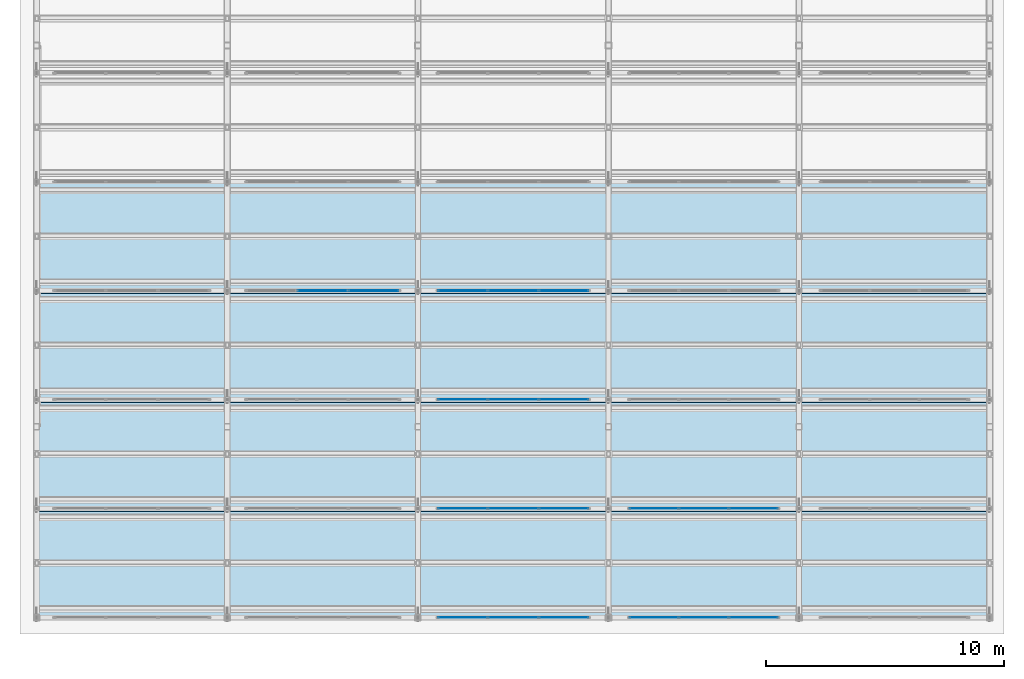
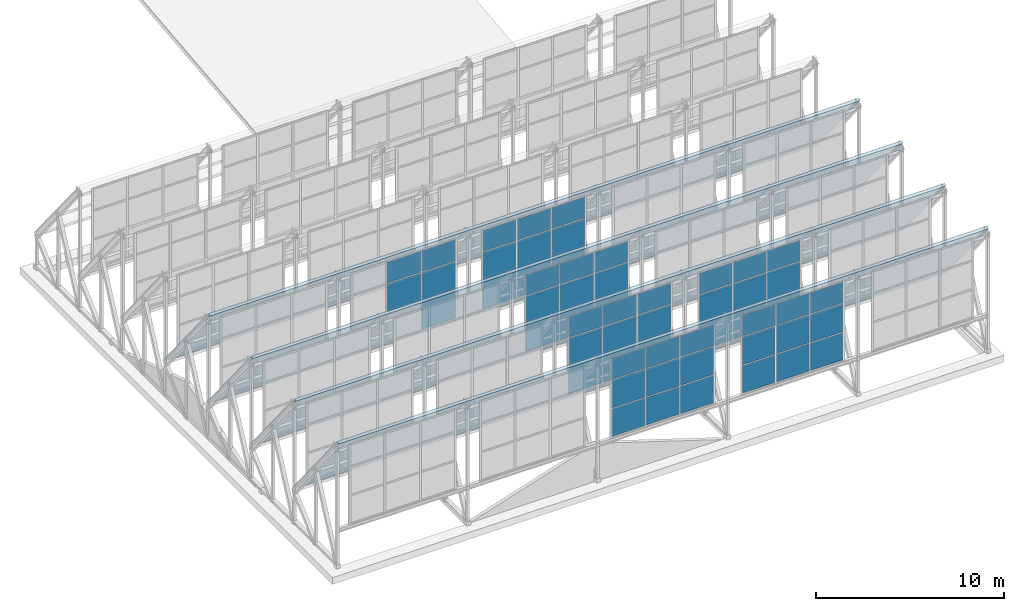
# One storey, part 27 of 34: 59 plates, 4 slabs, 11 elements without a shape of their own.
"""IFC4 building model written with IfcOpenShell, lengths in metres."""

from ifc_helpers import new_model, si_unit, direction, frame, origin, origin_2d, place, context, subcontext, project, spatial, polyline, rectangle, outline, extrude, material, layer, layer_set, type_object, element, aggregate, save


model = new_model("IFC4")

# Units and contexts
model_context = context("Model", 3, precision=1e-05, world=origin(), true_north=direction((0.0, 1.0)))
body_context = subcontext(model_context, "Body", "Model", "MODEL_VIEW")
ifc_project = project(units=[si_unit("LENGTHUNIT", "METRE"), si_unit("AREAUNIT", "SQUARE_METRE"), si_unit("VOLUMEUNIT", "CUBIC_METRE"), si_unit("PLANEANGLEUNIT", "RADIAN"), si_unit("MASSUNIT", "GRAM", prefix="KILO")], contexts=[model_context])

# Site, building, storey
site_placement = place(None, origin())
site = spatial("IfcSite", under=ifc_project, at=site_placement, CompositionType="ELEMENT")
building_placement = place(site_placement, origin())
building = spatial("IfcBuilding", under=site, at=building_placement, Name="Qorikala Patio Media Centre", CompositionType="ELEMENT")
storey_placement = place(building_placement, frame((0.0, 0.0, 32.699951171875)))
storey = spatial("IfcBuildingStorey", under=building, at=storey_placement, Name="RF", CompositionType="ELEMENT", Elevation=32.699951171875)

# Curtain wall, plates
ifc_material_1 = material(Name="Bronze Anodised Aluminium and Low-E Glass", Category="aluminium")
ifc_layer_1 = layer(ifc_material_1, 0.159912109375)
ifc_layer_set_1 = layer_set([ifc_layer_1], Name="Bronze Anodised Aluminium and Low-E Glass")
curtain_wall_type_1 = type_object("IfcCurtainWallType", Name="CW-SAW-640X520", PredefinedType="USERDEFINED", material=ifc_layer_set_1)
curtain_wall_1_placement = place(storey_placement, origin())
curtain_wall_1 = element("IfcCurtainWall", 1, at=curtain_wall_1_placement, inside=storey, type_object=curtain_wall_type_1, Name="RF Sawtooth Glazing 109", ObjectType="SAWTOOTH GLAZING", PredefinedType="USERDEFINED")
ifc_material_2 = material(Name="Acoustic Laminated Low-E Glass", Category="glass")
ifc_layer_2 = layer(ifc_material_2, 0.031982421875)
ifc_layer_set_2 = layer_set([ifc_layer_2], Name="Acoustic Laminated Low-E Glass")
plate_type = type_object("IfcPlateType", Name="CWP-32", PredefinedType="CURTAIN_PANEL", material=ifc_layer_set_2)
plate_1_placement = place(storey_placement, frame((20.881591796875, 3.0, 2.81005859375), z_axis=(0.0, 0.0, 1.0), x_axis=(1.0, 0.0, 0.0)))
plate_1 = element("IfcPlate", 2, at=plate_1_placement, type_object=plate_type, Name="CWS640520 panel 1.1", PredefinedType="CURTAIN_PANEL", context=body_context, shape_type="SweptSolid", body=[
    extrude(rectangle(XDim=2.043212890625, YDim=0.031982421875, at=origin_2d()), origin(), (0.0, 0.0, 1.0), 1.781982421875),
])
plate_2_placement = place(storey_placement, frame((20.881591796875, 3.0, 4.652099609375), z_axis=(0.0, 0.0, 1.0), x_axis=(1.0, 0.0, 0.0)))
plate_2 = element("IfcPlate", 3, at=plate_2_placement, type_object=plate_type, Name="CWS640520 panel 1.2", PredefinedType="CURTAIN_PANEL", context=body_context, shape_type="SweptSolid", body=[
    extrude(rectangle(XDim=2.043212890625, YDim=0.031982421875, at=origin_2d()), origin(), (0.0, 0.0, 1.0), 1.81201171875),
])
plate_3_placement = place(storey_placement, frame((20.881591796875, 3.0, 6.52392578125), z_axis=(0.0, 0.0, 1.0), x_axis=(1.0, 0.0, 0.0)))
plate_3 = element("IfcPlate", 4, at=plate_3_placement, type_object=plate_type, Name="CWS640520 panel 1.3", PredefinedType="CURTAIN_PANEL", context=body_context, shape_type="SweptSolid", body=[
    extrude(rectangle(XDim=2.043212890625, YDim=0.031982421875, at=origin_2d()), origin(), (0.0, 0.0, 1.0), 1.365966796875),
])
plate_4_placement = place(storey_placement, frame((23.0, 3.0, 2.81005859375), z_axis=(0.0, 0.0, 1.0), x_axis=(1.0, 0.0, 0.0)))
plate_4 = element("IfcPlate", 5, at=plate_4_placement, type_object=plate_type, Name="CWS640520 panel 2.1", PredefinedType="CURTAIN_PANEL", context=body_context, shape_type="SweptSolid", body=[
    extrude(rectangle(XDim=2.0732421875, YDim=0.031982421875, at=origin_2d()), origin(), (0.0, 0.0, 1.0), 1.781982421875),
])
plate_5_placement = place(storey_placement, frame((23.0, 3.0, 4.652099609375), z_axis=(0.0, 0.0, 1.0), x_axis=(1.0, 0.0, 0.0)))
plate_5 = element("IfcPlate", 6, at=plate_5_placement, type_object=plate_type, Name="CWS640520 panel 2.2", PredefinedType="CURTAIN_PANEL", context=body_context, shape_type="SweptSolid", body=[
    extrude(rectangle(XDim=2.0732421875, YDim=0.031982421875, at=origin_2d()), origin(), (0.0, 0.0, 1.0), 1.81201171875),
])
plate_6_placement = place(storey_placement, frame((23.0, 3.0, 6.52392578125), z_axis=(0.0, 0.0, 1.0), x_axis=(1.0, 0.0, 0.0)))
plate_6 = element("IfcPlate", 7, at=plate_6_placement, type_object=plate_type, Name="CWS640520 panel 2.3", PredefinedType="CURTAIN_PANEL", context=body_context, shape_type="SweptSolid", body=[
    extrude(rectangle(XDim=2.0732421875, YDim=0.031982421875, at=origin_2d()), origin(), (0.0, 0.0, 1.0), 1.365966796875),
])
plate_7_placement = place(storey_placement, frame((25.118408203125, 3.0, 2.81005859375), z_axis=(0.0, 0.0, 1.0), x_axis=(1.0, 0.0, 0.0)))
plate_7 = element("IfcPlate", 8, at=plate_7_placement, type_object=plate_type, Name="CWS640520 panel 3.1", PredefinedType="CURTAIN_PANEL", context=body_context, shape_type="SweptSolid", body=[
    extrude(rectangle(XDim=2.043212890625, YDim=0.031982421875, at=origin_2d()), origin(), (0.0, 0.0, 1.0), 1.781982421875),
])
plate_8_placement = place(storey_placement, frame((25.118408203125, 3.0, 4.652099609375), z_axis=(0.0, 0.0, 1.0), x_axis=(1.0, 0.0, 0.0)))
plate_8 = element("IfcPlate", 9, at=plate_8_placement, type_object=plate_type, Name="CWS640520 panel 3.2", PredefinedType="CURTAIN_PANEL", context=body_context, shape_type="SweptSolid", body=[
    extrude(rectangle(XDim=2.043212890625, YDim=0.031982421875, at=origin_2d()), origin(), (0.0, 0.0, 1.0), 1.81201171875),
])
plate_9_placement = place(storey_placement, frame((25.118408203125, 3.0, 6.52392578125), z_axis=(0.0, 0.0, 1.0), x_axis=(1.0, 0.0, 0.0)))
plate_9 = element("IfcPlate", 10, at=plate_9_placement, type_object=plate_type, Name="CWS640520 panel 3.3", PredefinedType="CURTAIN_PANEL", context=body_context, shape_type="SweptSolid", body=[
    extrude(rectangle(XDim=2.043212890625, YDim=0.031982421875, at=origin_2d()), origin(), (0.0, 0.0, 1.0), 1.365966796875),
])
aggregate(curtain_wall_1, [plate_1, plate_2, plate_3, plate_4, plate_5, plate_6, plate_7, plate_8, plate_9])

ifc_layer_3 = layer(ifc_material_1, 0.159912109375)
ifc_layer_set_3 = layer_set([ifc_layer_3], Name="Bronze Anodised Aluminium and Low-E Glass")
curtain_wall_type_2 = type_object("IfcCurtainWallType", Name="CW-SAW-632X520", PredefinedType="USERDEFINED", material=ifc_layer_set_3)
curtain_wall_2_placement = place(storey_placement, origin())
curtain_wall_2 = element("IfcCurtainWall", 11, at=curtain_wall_2_placement, inside=storey, type_object=curtain_wall_type_2, Name="RF Sawtooth Glazing 110", ObjectType="SAWTOOTH GLAZING", PredefinedType="USERDEFINED")
plate_10_placement = place(storey_placement, frame((28.908447265625, 3.0, 2.81005859375), z_axis=(0.0, 0.0, 1.0), x_axis=(1.0, 0.0, 0.0)))
plate_10 = element("IfcPlate", 12, at=plate_10_placement, type_object=plate_type, Name="CWS632520 panel 1.1", PredefinedType="CURTAIN_PANEL", context=body_context, shape_type="SweptSolid", body=[
    extrude(rectangle(XDim=2.0166015625, YDim=0.031982421875, at=origin_2d()), origin(), (0.0, 0.0, 1.0), 1.781982421875),
])
plate_11_placement = place(storey_placement, frame((28.908447265625, 3.0, 4.652099609375), z_axis=(0.0, 0.0, 1.0), x_axis=(1.0, 0.0, 0.0)))
plate_11 = element("IfcPlate", 13, at=plate_11_placement, type_object=plate_type, Name="CWS632520 panel 1.2", PredefinedType="CURTAIN_PANEL", context=body_context, shape_type="SweptSolid", body=[
    extrude(rectangle(XDim=2.0166015625, YDim=0.031982421875, at=origin_2d()), origin(), (0.0, 0.0, 1.0), 1.81201171875),
])
plate_12_placement = place(storey_placement, frame((28.908447265625, 3.0, 6.52392578125), z_axis=(0.0, 0.0, 1.0), x_axis=(1.0, 0.0, 0.0)))
plate_12 = element("IfcPlate", 14, at=plate_12_placement, type_object=plate_type, Name="CWS632520 panel 1.3", PredefinedType="CURTAIN_PANEL", context=body_context, shape_type="SweptSolid", body=[
    extrude(rectangle(XDim=2.0166015625, YDim=0.031982421875, at=origin_2d()), origin(), (0.0, 0.0, 1.0), 1.365966796875),
])
plate_13_placement = place(storey_placement, frame((31.0, 3.0, 2.81005859375), z_axis=(0.0, 0.0, 1.0), x_axis=(1.0, 0.0, 0.0)))
plate_13 = element("IfcPlate", 15, at=plate_13_placement, type_object=plate_type, Name="CWS632520 panel 2.1", PredefinedType="CURTAIN_PANEL", context=body_context, shape_type="SweptSolid", body=[
    extrude(rectangle(XDim=2.046630859375, YDim=0.031982421875, at=origin_2d()), origin(), (0.0, 0.0, 1.0), 1.781982421875),
])
plate_14_placement = place(storey_placement, frame((31.0, 3.0, 4.652099609375), z_axis=(0.0, 0.0, 1.0), x_axis=(1.0, 0.0, 0.0)))
plate_14 = element("IfcPlate", 16, at=plate_14_placement, type_object=plate_type, Name="CWS632520 panel 2.2", PredefinedType="CURTAIN_PANEL", context=body_context, shape_type="SweptSolid", body=[
    extrude(rectangle(XDim=2.046630859375, YDim=0.031982421875, at=origin_2d()), origin(), (0.0, 0.0, 1.0), 1.81201171875),
])
plate_15_placement = place(storey_placement, frame((31.0, 3.0, 6.52392578125), z_axis=(0.0, 0.0, 1.0), x_axis=(1.0, 0.0, 0.0)))
plate_15 = element("IfcPlate", 17, at=plate_15_placement, type_object=plate_type, Name="CWS632520 panel 2.3", PredefinedType="CURTAIN_PANEL", context=body_context, shape_type="SweptSolid", body=[
    extrude(rectangle(XDim=2.046630859375, YDim=0.031982421875, at=origin_2d()), origin(), (0.0, 0.0, 1.0), 1.365966796875),
])
plate_16_placement = place(storey_placement, frame((33.091552734375, 3.0, 2.81005859375), z_axis=(0.0, 0.0, 1.0), x_axis=(1.0, 0.0, 0.0)))
plate_16 = element("IfcPlate", 18, at=plate_16_placement, type_object=plate_type, Name="CWS632520 panel 3.1", PredefinedType="CURTAIN_PANEL", context=body_context, shape_type="SweptSolid", body=[
    extrude(rectangle(XDim=2.0166015625, YDim=0.031982421875, at=origin_2d()), origin(), (0.0, 0.0, 1.0), 1.781982421875),
])
plate_17_placement = place(storey_placement, frame((33.091552734375, 3.0, 4.652099609375), z_axis=(0.0, 0.0, 1.0), x_axis=(1.0, 0.0, 0.0)))
plate_17 = element("IfcPlate", 19, at=plate_17_placement, type_object=plate_type, Name="CWS632520 panel 3.2", PredefinedType="CURTAIN_PANEL", context=body_context, shape_type="SweptSolid", body=[
    extrude(rectangle(XDim=2.0166015625, YDim=0.031982421875, at=origin_2d()), origin(), (0.0, 0.0, 1.0), 1.81201171875),
])
plate_18_placement = place(storey_placement, frame((33.091552734375, 3.0, 6.52392578125), z_axis=(0.0, 0.0, 1.0), x_axis=(1.0, 0.0, 0.0)))
plate_18 = element("IfcPlate", 20, at=plate_18_placement, type_object=plate_type, Name="CWS632520 panel 3.3", PredefinedType="CURTAIN_PANEL", context=body_context, shape_type="SweptSolid", body=[
    extrude(rectangle(XDim=2.0166015625, YDim=0.031982421875, at=origin_2d()), origin(), (0.0, 0.0, 1.0), 1.365966796875),
])
aggregate(curtain_wall_2, [plate_10, plate_11, plate_12, plate_13, plate_14, plate_15, plate_16, plate_17, plate_18])

ifc_layer_4 = layer(ifc_material_1, 0.159912109375)
ifc_layer_set_4 = layer_set([ifc_layer_4], Name="Bronze Anodised Aluminium and Low-E Glass")
curtain_wall_type_3 = type_object("IfcCurtainWallType", Name="CW-SAW-640X514", PredefinedType="USERDEFINED", material=ifc_layer_set_4)
curtain_wall_3_placement = place(storey_placement, origin())
curtain_wall_3 = element("IfcCurtainWall", 21, at=curtain_wall_3_placement, inside=storey, type_object=curtain_wall_type_3, Name="RF Sawtooth Glazing 114", ObjectType="SAWTOOTH GLAZING", PredefinedType="USERDEFINED")
plate_19_placement = place(storey_placement, frame((20.881591796875, 7.5712890625, 2.81005859375), z_axis=(0.0, 0.0, 1.0), x_axis=(1.0, 0.0, 0.0)))
plate_19 = element("IfcPlate", 22, at=plate_19_placement, type_object=plate_type, Name="CWS640514 panel 1.1", PredefinedType="CURTAIN_PANEL", context=body_context, shape_type="SweptSolid", body=[
    extrude(rectangle(XDim=2.043212890625, YDim=0.031982421875, at=origin_2d()), origin(), (0.0, 0.0, 1.0), 1.760498046875),
])
plate_20_placement = place(storey_placement, frame((20.881591796875, 7.5712890625, 4.63037109375), z_axis=(0.0, 0.0, 1.0), x_axis=(1.0, 0.0, 0.0)))
plate_20 = element("IfcPlate", 23, at=plate_20_placement, type_object=plate_type, Name="CWS640514 panel 1.2", PredefinedType="CURTAIN_PANEL", context=body_context, shape_type="SweptSolid", body=[
    extrude(rectangle(XDim=2.043212890625, YDim=0.031982421875, at=origin_2d()), origin(), (0.0, 0.0, 1.0), 1.790283203125),
])
plate_21_placement = place(storey_placement, frame((20.881591796875, 7.5712890625, 6.48095703125), z_axis=(0.0, 0.0, 1.0), x_axis=(1.0, 0.0, 0.0)))
plate_21 = element("IfcPlate", 24, at=plate_21_placement, type_object=plate_type, Name="CWS640514 panel 1.3", PredefinedType="CURTAIN_PANEL", context=body_context, shape_type="SweptSolid", body=[
    extrude(rectangle(XDim=2.043212890625, YDim=0.031982421875, at=origin_2d()), origin(), (0.0, 0.0, 1.0), 1.34912109375),
])
plate_22_placement = place(storey_placement, frame((23.0, 7.5712890625, 2.81005859375), z_axis=(0.0, 0.0, 1.0), x_axis=(1.0, 0.0, 0.0)))
plate_22 = element("IfcPlate", 25, at=plate_22_placement, type_object=plate_type, Name="CWS640514 panel 2.1", PredefinedType="CURTAIN_PANEL", context=body_context, shape_type="SweptSolid", body=[
    extrude(rectangle(XDim=2.0732421875, YDim=0.031982421875, at=origin_2d()), origin(), (0.0, 0.0, 1.0), 1.760498046875),
])
plate_23_placement = place(storey_placement, frame((23.0, 7.5712890625, 4.63037109375), z_axis=(0.0, 0.0, 1.0), x_axis=(1.0, 0.0, 0.0)))
plate_23 = element("IfcPlate", 26, at=plate_23_placement, type_object=plate_type, Name="CWS640514 panel 2.2", PredefinedType="CURTAIN_PANEL", context=body_context, shape_type="SweptSolid", body=[
    extrude(rectangle(XDim=2.0732421875, YDim=0.031982421875, at=origin_2d()), origin(), (0.0, 0.0, 1.0), 1.790283203125),
])
plate_24_placement = place(storey_placement, frame((23.0, 7.5712890625, 6.48095703125), z_axis=(0.0, 0.0, 1.0), x_axis=(1.0, 0.0, 0.0)))
plate_24 = element("IfcPlate", 27, at=plate_24_placement, type_object=plate_type, Name="CWS640514 panel 2.3", PredefinedType="CURTAIN_PANEL", context=body_context, shape_type="SweptSolid", body=[
    extrude(rectangle(XDim=2.0732421875, YDim=0.031982421875, at=origin_2d()), origin(), (0.0, 0.0, 1.0), 1.34912109375),
])
plate_25_placement = place(storey_placement, frame((25.118408203125, 7.5712890625, 2.81005859375), z_axis=(0.0, 0.0, 1.0), x_axis=(1.0, 0.0, 0.0)))
plate_25 = element("IfcPlate", 28, at=plate_25_placement, type_object=plate_type, Name="CWS640514 panel 3.1", PredefinedType="CURTAIN_PANEL", context=body_context, shape_type="SweptSolid", body=[
    extrude(rectangle(XDim=2.043212890625, YDim=0.031982421875, at=origin_2d()), origin(), (0.0, 0.0, 1.0), 1.760498046875),
])
plate_26_placement = place(storey_placement, frame((25.118408203125, 7.5712890625, 4.63037109375), z_axis=(0.0, 0.0, 1.0), x_axis=(1.0, 0.0, 0.0)))
plate_26 = element("IfcPlate", 29, at=plate_26_placement, type_object=plate_type, Name="CWS640514 panel 3.2", PredefinedType="CURTAIN_PANEL", context=body_context, shape_type="SweptSolid", body=[
    extrude(rectangle(XDim=2.043212890625, YDim=0.031982421875, at=origin_2d()), origin(), (0.0, 0.0, 1.0), 1.790283203125),
])
plate_27_placement = place(storey_placement, frame((25.118408203125, 7.5712890625, 6.48095703125), z_axis=(0.0, 0.0, 1.0), x_axis=(1.0, 0.0, 0.0)))
plate_27 = element("IfcPlate", 30, at=plate_27_placement, type_object=plate_type, Name="CWS640514 panel 3.3", PredefinedType="CURTAIN_PANEL", context=body_context, shape_type="SweptSolid", body=[
    extrude(rectangle(XDim=2.043212890625, YDim=0.031982421875, at=origin_2d()), origin(), (0.0, 0.0, 1.0), 1.34912109375),
])
aggregate(curtain_wall_3, [plate_19, plate_20, plate_21, plate_22, plate_23, plate_24, plate_25, plate_26, plate_27])

ifc_layer_5 = layer(ifc_material_1, 0.159912109375)
ifc_layer_set_5 = layer_set([ifc_layer_5], Name="Bronze Anodised Aluminium and Low-E Glass")
curtain_wall_type_4 = type_object("IfcCurtainWallType", Name="CW-SAW-632X514", PredefinedType="USERDEFINED", material=ifc_layer_set_5)
curtain_wall_4_placement = place(storey_placement, origin())
curtain_wall_4 = element("IfcCurtainWall", 31, at=curtain_wall_4_placement, inside=storey, type_object=curtain_wall_type_4, Name="RF Sawtooth Glazing 115", ObjectType="SAWTOOTH GLAZING", PredefinedType="USERDEFINED")
plate_28_placement = place(storey_placement, frame((28.908447265625, 7.5712890625, 2.81005859375), z_axis=(0.0, 0.0, 1.0), x_axis=(1.0, 0.0, 0.0)))
plate_28 = element("IfcPlate", 32, at=plate_28_placement, type_object=plate_type, Name="CWS632514 panel 1.1", PredefinedType="CURTAIN_PANEL", context=body_context, shape_type="SweptSolid", body=[
    extrude(rectangle(XDim=2.0166015625, YDim=0.031982421875, at=origin_2d()), origin(), (0.0, 0.0, 1.0), 1.760498046875),
])
plate_29_placement = place(storey_placement, frame((28.908447265625, 7.5712890625, 4.63037109375), z_axis=(0.0, 0.0, 1.0), x_axis=(1.0, 0.0, 0.0)))
plate_29 = element("IfcPlate", 33, at=plate_29_placement, type_object=plate_type, Name="CWS632514 panel 1.2", PredefinedType="CURTAIN_PANEL", context=body_context, shape_type="SweptSolid", body=[
    extrude(rectangle(XDim=2.0166015625, YDim=0.031982421875, at=origin_2d()), origin(), (0.0, 0.0, 1.0), 1.790283203125),
])
plate_30_placement = place(storey_placement, frame((28.908447265625, 7.5712890625, 6.48095703125), z_axis=(0.0, 0.0, 1.0), x_axis=(1.0, 0.0, 0.0)))
plate_30 = element("IfcPlate", 34, at=plate_30_placement, type_object=plate_type, Name="CWS632514 panel 1.3", PredefinedType="CURTAIN_PANEL", context=body_context, shape_type="SweptSolid", body=[
    extrude(rectangle(XDim=2.0166015625, YDim=0.031982421875, at=origin_2d()), origin(), (0.0, 0.0, 1.0), 1.34912109375),
])
plate_31_placement = place(storey_placement, frame((31.0, 7.5712890625, 2.81005859375), z_axis=(0.0, 0.0, 1.0), x_axis=(1.0, 0.0, 0.0)))
plate_31 = element("IfcPlate", 35, at=plate_31_placement, type_object=plate_type, Name="CWS632514 panel 2.1", PredefinedType="CURTAIN_PANEL", context=body_context, shape_type="SweptSolid", body=[
    extrude(rectangle(XDim=2.046630859375, YDim=0.031982421875, at=origin_2d()), origin(), (0.0, 0.0, 1.0), 1.760498046875),
])
plate_32_placement = place(storey_placement, frame((31.0, 7.5712890625, 4.63037109375), z_axis=(0.0, 0.0, 1.0), x_axis=(1.0, 0.0, 0.0)))
plate_32 = element("IfcPlate", 36, at=plate_32_placement, type_object=plate_type, Name="CWS632514 panel 2.2", PredefinedType="CURTAIN_PANEL", context=body_context, shape_type="SweptSolid", body=[
    extrude(rectangle(XDim=2.046630859375, YDim=0.031982421875, at=origin_2d()), origin(), (0.0, 0.0, 1.0), 1.790283203125),
])
plate_33_placement = place(storey_placement, frame((31.0, 7.5712890625, 6.48095703125), z_axis=(0.0, 0.0, 1.0), x_axis=(1.0, 0.0, 0.0)))
plate_33 = element("IfcPlate", 37, at=plate_33_placement, type_object=plate_type, Name="CWS632514 panel 2.3", PredefinedType="CURTAIN_PANEL", context=body_context, shape_type="SweptSolid", body=[
    extrude(rectangle(XDim=2.046630859375, YDim=0.031982421875, at=origin_2d()), origin(), (0.0, 0.0, 1.0), 1.34912109375),
])
plate_34_placement = place(storey_placement, frame((33.091552734375, 7.5712890625, 2.81005859375), z_axis=(0.0, 0.0, 1.0), x_axis=(1.0, 0.0, 0.0)))
plate_34 = element("IfcPlate", 38, at=plate_34_placement, type_object=plate_type, Name="CWS632514 panel 3.1", PredefinedType="CURTAIN_PANEL", context=body_context, shape_type="SweptSolid", body=[
    extrude(rectangle(XDim=2.0166015625, YDim=0.031982421875, at=origin_2d()), origin(), (0.0, 0.0, 1.0), 1.760498046875),
])
plate_35_placement = place(storey_placement, frame((33.091552734375, 7.5712890625, 4.63037109375), z_axis=(0.0, 0.0, 1.0), x_axis=(1.0, 0.0, 0.0)))
plate_35 = element("IfcPlate", 39, at=plate_35_placement, type_object=plate_type, Name="CWS632514 panel 3.2", PredefinedType="CURTAIN_PANEL", context=body_context, shape_type="SweptSolid", body=[
    extrude(rectangle(XDim=2.0166015625, YDim=0.031982421875, at=origin_2d()), origin(), (0.0, 0.0, 1.0), 1.790283203125),
])
plate_36_placement = place(storey_placement, frame((33.091552734375, 7.5712890625, 6.48095703125), z_axis=(0.0, 0.0, 1.0), x_axis=(1.0, 0.0, 0.0)))
plate_36 = element("IfcPlate", 40, at=plate_36_placement, type_object=plate_type, Name="CWS632514 panel 3.3", PredefinedType="CURTAIN_PANEL", context=body_context, shape_type="SweptSolid", body=[
    extrude(rectangle(XDim=2.0166015625, YDim=0.031982421875, at=origin_2d()), origin(), (0.0, 0.0, 1.0), 1.34912109375),
])
aggregate(curtain_wall_4, [plate_28, plate_29, plate_30, plate_31, plate_32, plate_33, plate_34, plate_35, plate_36])

ifc_layer_6 = layer(ifc_material_1, 0.159912109375)
ifc_layer_set_6 = layer_set([ifc_layer_6], Name="Bronze Anodised Aluminium and Low-E Glass")
curtain_wall_type_5 = type_object("IfcCurtainWallType", Name="CW-SAW-640X508", PredefinedType="USERDEFINED", material=ifc_layer_set_6)
curtain_wall_5_placement = place(storey_placement, origin())
curtain_wall_5 = element("IfcCurtainWall", 41, at=curtain_wall_5_placement, inside=storey, type_object=curtain_wall_type_5, Name="RF Sawtooth Glazing 119", ObjectType="SAWTOOTH GLAZING", PredefinedType="USERDEFINED")
plate_37_placement = place(storey_placement, frame((20.881591796875, 12.142822265625, 2.81005859375), z_axis=(0.0, 0.0, 1.0), x_axis=(1.0, 0.0, 0.0)))
plate_37 = element("IfcPlate", 42, at=plate_37_placement, type_object=plate_type, Name="CWS640508 panel 1.1", PredefinedType="CURTAIN_PANEL", context=body_context, shape_type="SweptSolid", body=[
    extrude(rectangle(XDim=2.043212890625, YDim=0.031982421875, at=origin_2d()), origin(), (0.0, 0.0, 1.0), 1.73876953125),
])
plate_38_placement = place(storey_placement, frame((20.881591796875, 12.142822265625, 4.60888671875), z_axis=(0.0, 0.0, 1.0), x_axis=(1.0, 0.0, 0.0)))
plate_38 = element("IfcPlate", 43, at=plate_38_placement, type_object=plate_type, Name="CWS640508 panel 1.2", PredefinedType="CURTAIN_PANEL", context=body_context, shape_type="SweptSolid", body=[
    extrude(rectangle(XDim=2.043212890625, YDim=0.031982421875, at=origin_2d()), origin(), (0.0, 0.0, 1.0), 1.768798828125),
])
plate_39_placement = place(storey_placement, frame((20.881591796875, 12.142822265625, 6.4375), z_axis=(0.0, 0.0, 1.0), x_axis=(1.0, 0.0, 0.0)))
plate_39 = element("IfcPlate", 44, at=plate_39_placement, type_object=plate_type, Name="CWS640508 panel 1.3", PredefinedType="CURTAIN_PANEL", context=body_context, shape_type="SweptSolid", body=[
    extrude(rectangle(XDim=2.043212890625, YDim=0.031982421875, at=origin_2d()), origin(), (0.0, 0.0, 1.0), 1.33251953125),
])
plate_40_placement = place(storey_placement, frame((23.0, 12.142822265625, 2.81005859375), z_axis=(0.0, 0.0, 1.0), x_axis=(1.0, 0.0, 0.0)))
plate_40 = element("IfcPlate", 45, at=plate_40_placement, type_object=plate_type, Name="CWS640508 panel 2.1", PredefinedType="CURTAIN_PANEL", context=body_context, shape_type="SweptSolid", body=[
    extrude(rectangle(XDim=2.0732421875, YDim=0.031982421875, at=origin_2d()), origin(), (0.0, 0.0, 1.0), 1.73876953125),
])
plate_41_placement = place(storey_placement, frame((23.0, 12.142822265625, 4.60888671875), z_axis=(0.0, 0.0, 1.0), x_axis=(1.0, 0.0, 0.0)))
plate_41 = element("IfcPlate", 46, at=plate_41_placement, type_object=plate_type, Name="CWS640508 panel 2.2", PredefinedType="CURTAIN_PANEL", context=body_context, shape_type="SweptSolid", body=[
    extrude(rectangle(XDim=2.0732421875, YDim=0.031982421875, at=origin_2d()), origin(), (0.0, 0.0, 1.0), 1.768798828125),
])
plate_42_placement = place(storey_placement, frame((23.0, 12.142822265625, 6.4375), z_axis=(0.0, 0.0, 1.0), x_axis=(1.0, 0.0, 0.0)))
plate_42 = element("IfcPlate", 47, at=plate_42_placement, type_object=plate_type, Name="CWS640508 panel 2.3", PredefinedType="CURTAIN_PANEL", context=body_context, shape_type="SweptSolid", body=[
    extrude(rectangle(XDim=2.0732421875, YDim=0.031982421875, at=origin_2d()), origin(), (0.0, 0.0, 1.0), 1.33251953125),
])
plate_43_placement = place(storey_placement, frame((25.118408203125, 12.142822265625, 2.81005859375), z_axis=(0.0, 0.0, 1.0), x_axis=(1.0, 0.0, 0.0)))
plate_43 = element("IfcPlate", 48, at=plate_43_placement, type_object=plate_type, Name="CWS640508 panel 3.1", PredefinedType="CURTAIN_PANEL", context=body_context, shape_type="SweptSolid", body=[
    extrude(rectangle(XDim=2.043212890625, YDim=0.031982421875, at=origin_2d()), origin(), (0.0, 0.0, 1.0), 1.73876953125),
])
plate_44_placement = place(storey_placement, frame((25.118408203125, 12.142822265625, 4.60888671875), z_axis=(0.0, 0.0, 1.0), x_axis=(1.0, 0.0, 0.0)))
plate_44 = element("IfcPlate", 49, at=plate_44_placement, type_object=plate_type, Name="CWS640508 panel 3.2", PredefinedType="CURTAIN_PANEL", context=body_context, shape_type="SweptSolid", body=[
    extrude(rectangle(XDim=2.043212890625, YDim=0.031982421875, at=origin_2d()), origin(), (0.0, 0.0, 1.0), 1.768798828125),
])
plate_45_placement = place(storey_placement, frame((25.118408203125, 12.142822265625, 6.4375), z_axis=(0.0, 0.0, 1.0), x_axis=(1.0, 0.0, 0.0)))
plate_45 = element("IfcPlate", 50, at=plate_45_placement, type_object=plate_type, Name="CWS640508 panel 3.3", PredefinedType="CURTAIN_PANEL", context=body_context, shape_type="SweptSolid", body=[
    extrude(rectangle(XDim=2.043212890625, YDim=0.031982421875, at=origin_2d()), origin(), (0.0, 0.0, 1.0), 1.33251953125),
])
aggregate(curtain_wall_5, [plate_37, plate_38, plate_39, plate_40, plate_41, plate_42, plate_43, plate_44, plate_45])

ifc_layer_7 = layer(ifc_material_1, 0.159912109375)
ifc_layer_set_7 = layer_set([ifc_layer_7], Name="Bronze Anodised Aluminium and Low-E Glass")
curtain_wall_type_6 = type_object("IfcCurtainWallType", Name="CW-SAW-648X520", PredefinedType="USERDEFINED", material=ifc_layer_set_7)
curtain_wall_6_placement = place(storey_placement, origin())
curtain_wall_6 = element("IfcCurtainWall", 51, at=curtain_wall_6_placement, inside=storey, type_object=curtain_wall_type_6, Name="RF Sawtooth Glazing 123", ObjectType="SAWTOOTH GLAZING", PredefinedType="USERDEFINED")
plate_46_placement = place(storey_placement, frame((15.0, 16.71435546875, 4.652099609375), z_axis=(0.0, 0.0, 1.0), x_axis=(1.0, 0.0, 0.0)))
plate_46 = element("IfcPlate", 52, at=plate_46_placement, type_object=plate_type, Name="CWS648520 panel 2.2", PredefinedType="CURTAIN_PANEL", context=body_context, shape_type="SweptSolid", body=[
    extrude(rectangle(XDim=2.10009765625, YDim=0.031982421875, at=origin_2d()), origin(), (0.0, 0.0, 1.0), 1.81201171875),
])
plate_47_placement = place(storey_placement, frame((15.0, 16.71435546875, 6.52392578125), z_axis=(0.0, 0.0, 1.0), x_axis=(1.0, 0.0, 0.0)))
plate_47 = element("IfcPlate", 53, at=plate_47_placement, type_object=plate_type, Name="CWS648520 panel 2.3", PredefinedType="CURTAIN_PANEL", context=body_context, shape_type="SweptSolid", body=[
    extrude(rectangle(XDim=2.10009765625, YDim=0.031982421875, at=origin_2d()), origin(), (0.0, 0.0, 1.0), 1.365966796875),
])
plate_48_placement = place(storey_placement, frame((17.14501953125, 16.71435546875, 2.81005859375), z_axis=(0.0, 0.0, 1.0), x_axis=(1.0, 0.0, 0.0)))
plate_48 = element("IfcPlate", 54, at=plate_48_placement, type_object=plate_type, Name="CWS648520 panel 3.1", PredefinedType="CURTAIN_PANEL", context=body_context, shape_type="SweptSolid", body=[
    extrude(rectangle(XDim=2.070068359375, YDim=0.031982421875, at=origin_2d()), origin(), (0.0, 0.0, 1.0), 1.781982421875),
])
plate_49_placement = place(storey_placement, frame((17.14501953125, 16.71435546875, 4.652099609375), z_axis=(0.0, 0.0, 1.0), x_axis=(1.0, 0.0, 0.0)))
plate_49 = element("IfcPlate", 55, at=plate_49_placement, type_object=plate_type, Name="CWS648520 panel 3.2", PredefinedType="CURTAIN_PANEL", context=body_context, shape_type="SweptSolid", body=[
    extrude(rectangle(XDim=2.070068359375, YDim=0.031982421875, at=origin_2d()), origin(), (0.0, 0.0, 1.0), 1.81201171875),
])
plate_50_placement = place(storey_placement, frame((17.14501953125, 16.71435546875, 6.52392578125), z_axis=(0.0, 0.0, 1.0), x_axis=(1.0, 0.0, 0.0)))
plate_50 = element("IfcPlate", 56, at=plate_50_placement, type_object=plate_type, Name="CWS648520 panel 3.3", PredefinedType="CURTAIN_PANEL", context=body_context, shape_type="SweptSolid", body=[
    extrude(rectangle(XDim=2.070068359375, YDim=0.031982421875, at=origin_2d()), origin(), (0.0, 0.0, 1.0), 1.365966796875),
])
aggregate(curtain_wall_6, [plate_46, plate_47, plate_48, plate_49, plate_50])

curtain_wall_7_placement = place(storey_placement, origin())
curtain_wall_7 = element("IfcCurtainWall", 57, at=curtain_wall_7_placement, inside=storey, type_object=curtain_wall_type_1, Name="RF Sawtooth Glazing 124", ObjectType="SAWTOOTH GLAZING", PredefinedType="USERDEFINED")
plate_51_placement = place(storey_placement, frame((20.881591796875, 16.71435546875, 2.81005859375), z_axis=(0.0, 0.0, 1.0), x_axis=(1.0, 0.0, 0.0)))
plate_51 = element("IfcPlate", 58, at=plate_51_placement, type_object=plate_type, Name="CWS640520 panel 1.1", PredefinedType="CURTAIN_PANEL", context=body_context, shape_type="SweptSolid", body=[
    extrude(rectangle(XDim=2.043212890625, YDim=0.031982421875, at=origin_2d()), origin(), (0.0, 0.0, 1.0), 1.781982421875),
])
plate_52_placement = place(storey_placement, frame((20.881591796875, 16.71435546875, 4.652099609375), z_axis=(0.0, 0.0, 1.0), x_axis=(1.0, 0.0, 0.0)))
plate_52 = element("IfcPlate", 59, at=plate_52_placement, type_object=plate_type, Name="CWS640520 panel 1.2", PredefinedType="CURTAIN_PANEL", context=body_context, shape_type="SweptSolid", body=[
    extrude(rectangle(XDim=2.043212890625, YDim=0.031982421875, at=origin_2d()), origin(), (0.0, 0.0, 1.0), 1.81201171875),
])
plate_53_placement = place(storey_placement, frame((20.881591796875, 16.71435546875, 6.52392578125), z_axis=(0.0, 0.0, 1.0), x_axis=(1.0, 0.0, 0.0)))
plate_53 = element("IfcPlate", 60, at=plate_53_placement, type_object=plate_type, Name="CWS640520 panel 1.3", PredefinedType="CURTAIN_PANEL", context=body_context, shape_type="SweptSolid", body=[
    extrude(rectangle(XDim=2.043212890625, YDim=0.031982421875, at=origin_2d()), origin(), (0.0, 0.0, 1.0), 1.365966796875),
])
plate_54_placement = place(storey_placement, frame((23.0, 16.71435546875, 2.81005859375), z_axis=(0.0, 0.0, 1.0), x_axis=(1.0, 0.0, 0.0)))
plate_54 = element("IfcPlate", 61, at=plate_54_placement, type_object=plate_type, Name="CWS640520 panel 2.1", PredefinedType="CURTAIN_PANEL", context=body_context, shape_type="SweptSolid", body=[
    extrude(rectangle(XDim=2.0732421875, YDim=0.031982421875, at=origin_2d()), origin(), (0.0, 0.0, 1.0), 1.781982421875),
])
plate_55_placement = place(storey_placement, frame((23.0, 16.71435546875, 4.652099609375), z_axis=(0.0, 0.0, 1.0), x_axis=(1.0, 0.0, 0.0)))
plate_55 = element("IfcPlate", 62, at=plate_55_placement, type_object=plate_type, Name="CWS640520 panel 2.2", PredefinedType="CURTAIN_PANEL", context=body_context, shape_type="SweptSolid", body=[
    extrude(rectangle(XDim=2.0732421875, YDim=0.031982421875, at=origin_2d()), origin(), (0.0, 0.0, 1.0), 1.81201171875),
])
plate_56_placement = place(storey_placement, frame((23.0, 16.71435546875, 6.52392578125), z_axis=(0.0, 0.0, 1.0), x_axis=(1.0, 0.0, 0.0)))
plate_56 = element("IfcPlate", 63, at=plate_56_placement, type_object=plate_type, Name="CWS640520 panel 2.3", PredefinedType="CURTAIN_PANEL", context=body_context, shape_type="SweptSolid", body=[
    extrude(rectangle(XDim=2.0732421875, YDim=0.031982421875, at=origin_2d()), origin(), (0.0, 0.0, 1.0), 1.365966796875),
])
plate_57_placement = place(storey_placement, frame((25.118408203125, 16.71435546875, 2.81005859375), z_axis=(0.0, 0.0, 1.0), x_axis=(1.0, 0.0, 0.0)))
plate_57 = element("IfcPlate", 64, at=plate_57_placement, type_object=plate_type, Name="CWS640520 panel 3.1", PredefinedType="CURTAIN_PANEL", context=body_context, shape_type="SweptSolid", body=[
    extrude(rectangle(XDim=2.043212890625, YDim=0.031982421875, at=origin_2d()), origin(), (0.0, 0.0, 1.0), 1.781982421875),
])
plate_58_placement = place(storey_placement, frame((25.118408203125, 16.71435546875, 4.652099609375), z_axis=(0.0, 0.0, 1.0), x_axis=(1.0, 0.0, 0.0)))
plate_58 = element("IfcPlate", 65, at=plate_58_placement, type_object=plate_type, Name="CWS640520 panel 3.2", PredefinedType="CURTAIN_PANEL", context=body_context, shape_type="SweptSolid", body=[
    extrude(rectangle(XDim=2.043212890625, YDim=0.031982421875, at=origin_2d()), origin(), (0.0, 0.0, 1.0), 1.81201171875),
])
plate_59_placement = place(storey_placement, frame((25.118408203125, 16.71435546875, 6.52392578125), z_axis=(0.0, 0.0, 1.0), x_axis=(1.0, 0.0, 0.0)))
plate_59 = element("IfcPlate", 66, at=plate_59_placement, type_object=plate_type, Name="CWS640520 panel 3.3", PredefinedType="CURTAIN_PANEL", context=body_context, shape_type="SweptSolid", body=[
    extrude(rectangle(XDim=2.043212890625, YDim=0.031982421875, at=origin_2d()), origin(), (0.0, 0.0, 1.0), 1.365966796875),
])
aggregate(curtain_wall_7, [plate_51, plate_52, plate_53, plate_54, plate_55, plate_56, plate_57, plate_58, plate_59])

# Roof, slab
ifc_material_3 = material(Name="Steel S355", Category="steel")
roof_type = type_object("IfcRoofType", Name="ROOF-SAWTOOTH", PredefinedType="SHED_ROOF", material=ifc_material_3)
roof_1_placement = place(storey_placement, origin())
roof_1 = element("IfcRoof", 67, at=roof_1_placement, inside=storey, type_object=roof_type, Name="SAW-V1 Sawtooth Roof Bay 1", PredefinedType="SHED_ROOF")
ifc_material_4 = material(Name="Insulated Steel Deck and Concrete C35/45", Category="concrete")
ifc_layer_8 = layer(ifc_material_4, 0.159912109375)
ifc_layer_set_8 = layer_set([ifc_layer_8], Name="Insulated Steel Deck and Concrete C35/45")
slab_type = type_object("IfcSlabType", Name="SL-SAW-160", PredefinedType="ROOF", material=ifc_layer_set_8)
slab_1_placement = place(storey_placement, frame((3.0, 3.0, 8.400146484375), z_axis=(0.0, 0.777422417819, 0.628978842468), x_axis=(1.0, 0.0, 0.0)))
slab_1 = element("IfcSlab", 68, at=slab_1_placement, type_object=slab_type, Name="SAW-V1 Sawtooth Roof Slab Bay 1", PredefinedType="ROOF", context=body_context, shape_type="SweptSolid", body=[
    extrude(outline(polyline([(0.0, 0.0), (40.0, 0.0), (40.0, 7.267794644032486), (0.0, 7.267794644032486), (0.0, 0.0)])), origin(), (0.0, 0.0, -1.0), 0.159912109375),
])
aggregate(roof_1, [slab_1])

roof_2_placement = place(storey_placement, origin())
roof_2 = element("IfcRoof", 69, at=roof_2_placement, inside=storey, type_object=roof_type, Name="SAW-V1 Sawtooth Roof Bay 2", PredefinedType="SHED_ROOF")
slab_2_placement = place(storey_placement, frame((3.0, 7.5712890625, 8.400146484375), z_axis=(0.0, 0.777405991951, 0.628999144418), x_axis=(1.0, 0.0, 0.0)))
slab_2 = element("IfcSlab", 70, at=slab_2_placement, type_object=slab_type, Name="SAW-V1 Sawtooth Roof Slab Bay 2", PredefinedType="ROOF", context=body_context, shape_type="SweptSolid", body=[
    extrude(outline(polyline([(0.0, 0.0), (40.0, 0.0), (40.0, 7.26794820579849), (0.0, 7.26794820579849), (0.0, 0.0)])), origin(), (0.0, 0.0, -1.0), 0.159912109375),
])
aggregate(roof_2, [slab_2])

roof_3_placement = place(storey_placement, origin())
roof_3 = element("IfcRoof", 71, at=roof_3_placement, inside=storey, type_object=roof_type, Name="SAW-V1 Sawtooth Roof Bay 3", PredefinedType="SHED_ROOF")
slab_3_placement = place(storey_placement, frame((3.0, 12.142822265625, 8.400146484375), z_axis=(0.0, 0.777405991951, 0.628999144418), x_axis=(1.0, 0.0, 0.0)))
slab_3 = element("IfcSlab", 72, at=slab_3_placement, type_object=slab_type, Name="SAW-V1 Sawtooth Roof Slab Bay 3", PredefinedType="ROOF", context=body_context, shape_type="SweptSolid", body=[
    extrude(outline(polyline([(0.0, 0.0), (40.0, 0.0), (40.0, 7.26794820579849), (0.0, 7.26794820579849), (0.0, 0.0)])), origin(), (0.0, 0.0, -1.0), 0.159912109375),
])
aggregate(roof_3, [slab_3])

roof_4_placement = place(storey_placement, origin())
roof_4 = element("IfcRoof", 73, at=roof_4_placement, inside=storey, type_object=roof_type, Name="SAW-V1 Sawtooth Roof Bay 4", PredefinedType="SHED_ROOF")
slab_4_placement = place(storey_placement, frame((3.0, 16.71435546875, 8.400146484375), z_axis=(0.0, 0.777422417819, 0.628978842468), x_axis=(1.0, 0.0, 0.0)))
slab_4 = element("IfcSlab", 74, at=slab_4_placement, type_object=slab_type, Name="SAW-V1 Sawtooth Roof Slab Bay 4", PredefinedType="ROOF", context=body_context, shape_type="SweptSolid", body=[
    extrude(outline(polyline([(0.0, 0.0), (40.0, 0.0), (40.0, 7.267794644032486), (0.0, 7.267794644032486), (0.0, 0.0)])), origin(), (0.0, 0.0, -1.0), 0.159912109375),
])
aggregate(roof_4, [slab_4])

save(model, "model.ifc")
